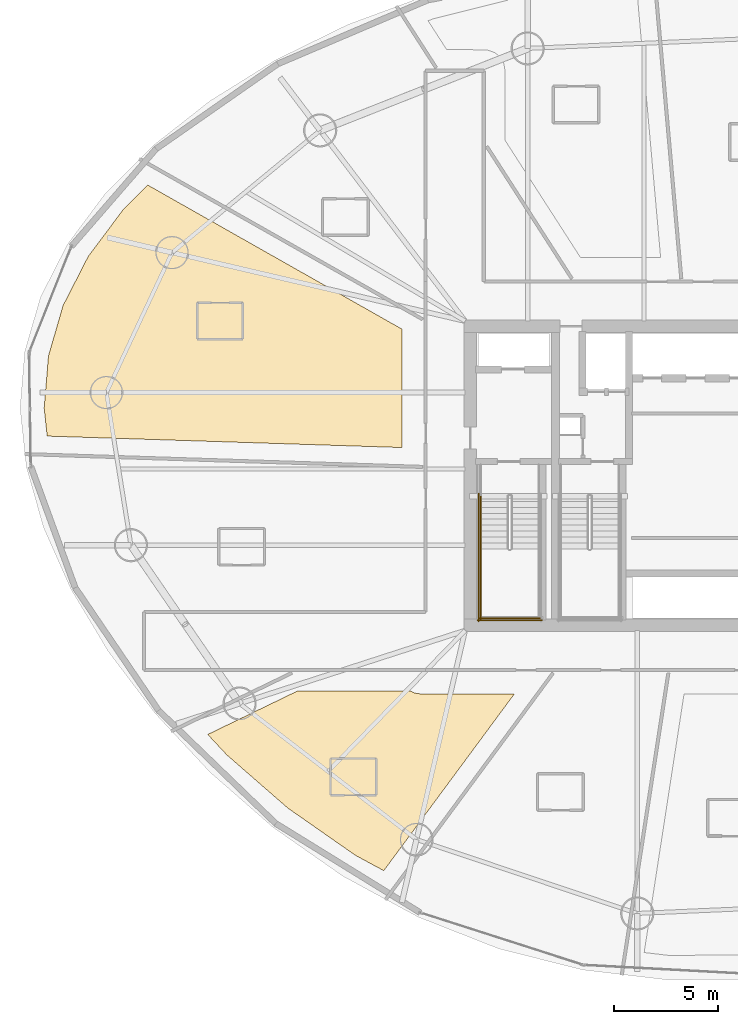
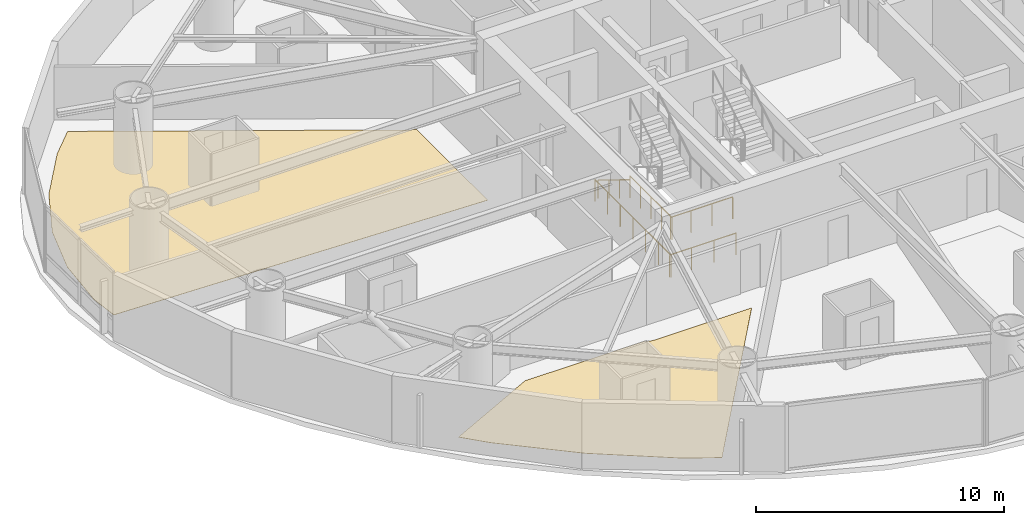
# One storey, part 23 of 26: 5 railings, 2 coverings.
"""IFC4 building model written with IfcOpenShell, lengths in metres."""

from ifc_helpers import new_model, si_unit, direction, frame, origin, origin_2d, place, context, subcontext, project, spatial, polyline, circle, outline, extrude, material, layer, layer_set, type_object, element, save


model = new_model("IFC4")

# Units and contexts
model_context = context("Model", 3, precision=1e-05, world=origin(), true_north=direction((0.0, 1.0)))
body_context = subcontext(model_context, "Body", "Model", "MODEL_VIEW")
ifc_project = project(units=[si_unit("LENGTHUNIT", "METRE"), si_unit("AREAUNIT", "SQUARE_METRE"), si_unit("VOLUMEUNIT", "CUBIC_METRE"), si_unit("PLANEANGLEUNIT", "RADIAN"), si_unit("MASSUNIT", "GRAM", prefix="KILO")], contexts=[model_context])

# Site, building, storey
site_placement = place(None, origin())
site = spatial("IfcSite", under=ifc_project, at=site_placement, CompositionType="ELEMENT")
building_placement = place(site_placement, origin())
building = spatial("IfcBuilding", under=site, at=building_placement, Name="Bramvorn Convention Spire", CompositionType="ELEMENT")
storey_placement = place(building_placement, frame((0.0, 0.0, 76.39990234375)))
storey = spatial("IfcBuildingStorey", under=building, at=storey_placement, Name="L17", CompositionType="ELEMENT", Elevation=76.39990234375)

# Coverings
ifc_material_1 = material(Name="Solution-Dyed Wool Broadloom Hospitality Carpet", Category="textile")
ifc_layer = layer(ifc_material_1, 0.014892578125)
ifc_layer_set = layer_set([ifc_layer], Name="Solution-Dyed Wool Broadloom Hospitality Carpet - FLR-CARPET-15")
covering_type = type_object("IfcCoveringType", Name="FLR-CARPET-15", PredefinedType="FLOORING", material=ifc_layer_set)
covering_1_placement = place(storey_placement, origin())
element("IfcCovering", 1, at=covering_1_placement, inside=storey, type_object=covering_type, Name="Hotel Suite 1706 wool broadloom carpet", PredefinedType="FLOORING", context=body_context, shape_type="SweptSolid", body=[
    extrude(outline(polyline([(6.484375, 29.255126953125), (6.63037109375, 27.91162109375), (23.699951171875, 27.361328125), (23.699951171875, 33.06884765625), (11.46435546875, 40.002197265625), (10.309814453125, 38.844482421875), (8.6025390625, 36.557861328125), (7.396728515625, 34.201904296875), (6.6923828125, 31.774169921875), (6.484375, 29.255126953125)])), origin(), (0.0, 0.0, 1.0), 0.01513671875),
])
covering_2_placement = place(storey_placement, origin())
element("IfcCovering", 2, at=covering_2_placement, inside=storey, type_object=covering_type, Name="Hotel Suite 1708 wool broadloom carpet", PredefinedType="FLOORING", context=body_context, shape_type="SweptSolid", body=[
    extrude(outline(polyline([(21.468505859375, 7.728515625), (22.833984375, 6.98974609375), (29.122314453125, 15.5), (24.60009765625, 15.5), (24.338623046875, 15.538818359375), (24.13623046875, 15.6298828125), (18.656982421875, 15.6298828125), (14.35791015625, 13.54736328125), (15.28271484375, 12.557861328125), (18.217041015625, 10.0009765625), (21.468505859375, 7.728515625)])), origin(), (0.0, 0.0, 1.0), 0.01513671875),
])

# Railings
ifc_material_2 = material(Name="Painted Steel Balustrade & Guardrail", Category="steel")
railing_type_1 = type_object("IfcRailingType", Name="RL-STAIR-GUARD-1100", PredefinedType="GUARDRAIL", material=ifc_material_2)
railing_1_placement = place(storey_placement, frame((27.5, 22.485107421875, 1.75)))
element("IfcRailing", 3, at=railing_1_placement, inside=storey, type_object=railing_type_1, Name="L17 ST1 stair guard 3", PredefinedType="GUARDRAIL", context=body_context, shape_type="SweptSolid", body=[
    extrude(circle(Radius=0.02392578125, at=origin_2d()), frame((0.0, 0.0, 1.076171875), z_axis=(0.0, -1.0, 0.0), x_axis=(1.0, 0.0, 0.0)), (0.0, 0.0, 1.0), 3.385009765625),
    extrude(circle(Radius=0.02099609375, at=origin_2d()), origin(), (0.0, 0.0, 1.0), 1.052001953125),
    extrude(circle(Radius=0.02099609375, at=origin_2d()), frame((0.0, -0.84619140625, 0.0)), (0.0, 0.0, 1.0), 1.052001953125),
    extrude(circle(Radius=0.02099609375, at=origin_2d()), frame((0.0, -1.6923828125, 0.0)), (0.0, 0.0, 1.0), 1.052001953125),
    extrude(circle(Radius=0.02099609375, at=origin_2d()), frame((0.0, -2.538818359375, 0.0)), (0.0, 0.0, 1.0), 1.052001953125),
    extrude(circle(Radius=0.02099609375, at=origin_2d()), frame((0.0, -3.385009765625, 0.0)), (0.0, 0.0, 1.0), 1.052001953125),
])
railing_2_placement = place(storey_placement, frame((27.449951171875, 19.14990234375, 1.75)))
element("IfcRailing", 4, at=railing_2_placement, inside=storey, type_object=railing_type_1, Name="L17 ST1 stair guard 5", PredefinedType="GUARDRAIL", context=body_context, shape_type="SweptSolid", body=[
    extrude(circle(Radius=0.02392578125, at=origin_2d()), frame((0.0, 0.0, 1.076171875), z_axis=(1.0, 0.0, 0.0), x_axis=(0.0, 1.0, 0.0)), (0.0, 0.0, 1.0), 2.900146484375),
    extrude(circle(Radius=0.02099609375, at=origin_2d()), origin(), (0.0, 0.0, 1.0), 1.052001953125),
    extrude(circle(Radius=0.02099609375, at=origin_2d()), frame((0.966796875, 0.0, 0.0)), (0.0, 0.0, 1.0), 1.052001953125),
    extrude(circle(Radius=0.02099609375, at=origin_2d()), frame((1.933349609375, 0.0, 0.0)), (0.0, 0.0, 1.0), 1.052001953125),
    extrude(circle(Radius=0.02099609375, at=origin_2d()), frame((2.900146484375, 0.0, 0.0)), (0.0, 0.0, 1.0), 1.052001953125),
])
railing_3_placement = place(storey_placement, frame((27.39990234375, 25.14990234375, 0.0)))
element("IfcRailing", 5, at=railing_3_placement, inside=storey, type_object=railing_type_1, Name="L17 ST1 stair guard 10", PredefinedType="GUARDRAIL", context=body_context, shape_type="SweptSolid", body=[
    extrude(circle(Radius=0.02392578125, at=origin_2d()), frame((0.0, 0.0, 1.076171875), z_axis=(0.0, -1.0, 0.0), x_axis=(1.0, 0.0, 0.0)), (0.0, 0.0, 1.0), 6.14990234375),
    extrude(circle(Radius=0.02099609375, at=origin_2d()), origin(), (0.0, 0.0, 1.0), 1.052001953125),
    extrude(circle(Radius=0.02099609375, at=origin_2d()), frame((0.0, -1.02490234375, 0.0)), (0.0, 0.0, 1.0), 1.052001953125),
    extrude(circle(Radius=0.02099609375, at=origin_2d()), frame((0.0, -2.050048828125, 0.0)), (0.0, 0.0, 1.0), 1.052001953125),
    extrude(circle(Radius=0.02099609375, at=origin_2d()), frame((0.0, -3.074951171875, 0.0)), (0.0, 0.0, 1.0), 1.052001953125),
    extrude(circle(Radius=0.02099609375, at=origin_2d()), frame((0.0, -4.099853515625, 0.0)), (0.0, 0.0, 1.0), 1.052001953125),
    extrude(circle(Radius=0.02099609375, at=origin_2d()), frame((0.0, -5.125, 0.0)), (0.0, 0.0, 1.0), 1.052001953125),
    extrude(circle(Radius=0.02099609375, at=origin_2d()), frame((0.0, -6.14990234375, 0.0)), (0.0, 0.0, 1.0), 1.052001953125),
])
railing_4_placement = place(storey_placement, frame((27.35009765625, 19.050048828125, 0.0)))
element("IfcRailing", 6, at=railing_4_placement, inside=storey, type_object=railing_type_1, Name="L17 ST1 stair guard 12", PredefinedType="GUARDRAIL", context=body_context, shape_type="SweptSolid", body=[
    extrude(circle(Radius=0.02392578125, at=origin_2d()), frame((0.0, 0.0, 1.076171875), z_axis=(1.0, 0.0, 0.0), x_axis=(0.0, 1.0, 0.0)), (0.0, 0.0, 1.0), 3.099853515625),
    extrude(circle(Radius=0.02099609375, at=origin_2d()), origin(), (0.0, 0.0, 1.0), 1.052001953125),
    extrude(circle(Radius=0.02099609375, at=origin_2d()), frame((1.033203125, 0.0, 0.0)), (0.0, 0.0, 1.0), 1.052001953125),
    extrude(circle(Radius=0.02099609375, at=origin_2d()), frame((2.066650390625, 0.0, 0.0)), (0.0, 0.0, 1.0), 1.052001953125),
    extrude(circle(Radius=0.02099609375, at=origin_2d()), frame((3.099853515625, 0.0, 0.0)), (0.0, 0.0, 1.0), 1.052001953125),
])
ifc_material_3 = material(Name="Brushed Bronze Tubular Handrail", Category="aluminium")
railing_type_2 = type_object("IfcRailingType", Name="RL-STAIR-HR-920", PredefinedType="HANDRAIL", material=ifc_material_3)
railing_5_placement = place(storey_placement, frame((27.5, 25.050048828125, 0.175048828125)))
element("IfcRailing", 7, at=railing_5_placement, inside=storey, type_object=railing_type_2, Name="L17 ST1 stair handrail 1", PredefinedType="HANDRAIL", context=body_context, shape_type="SweptSolid", body=[
    extrude(circle(Radius=0.02392578125, at=origin_2d()), frame((0.0, 0.0, 0.89599609375), z_axis=(0.0, -0.852173129349, 0.523259933127), x_axis=(1.0, 0.0, 0.0)), (0.0, 0.0, 1.0), 3.009765625),
    extrude(circle(Radius=0.02099609375, at=origin_2d()), origin(), (0.0, 0.0, 1.0), 0.871826171875),
    extrude(circle(Radius=0.02099609375, at=origin_2d()), frame((0.0, -0.85498046875, 0.52490234375)), (0.0, 0.0, 1.0), 0.871826171875),
    extrude(circle(Radius=0.02099609375, at=origin_2d()), frame((0.0, -1.7099609375, 1.050048828125)), (0.0, 0.0, 1.0), 0.871826171875),
    extrude(circle(Radius=0.02099609375, at=origin_2d()), frame((0.0, -2.56494140625, 1.574951171875)), (0.0, 0.0, 1.0), 0.871826171875),
])

save(model, "model.ifc")
